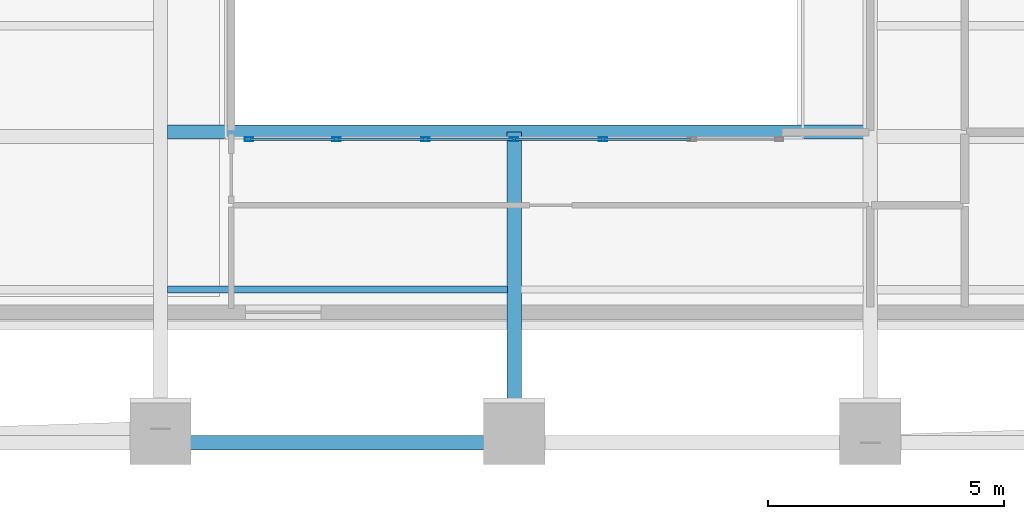
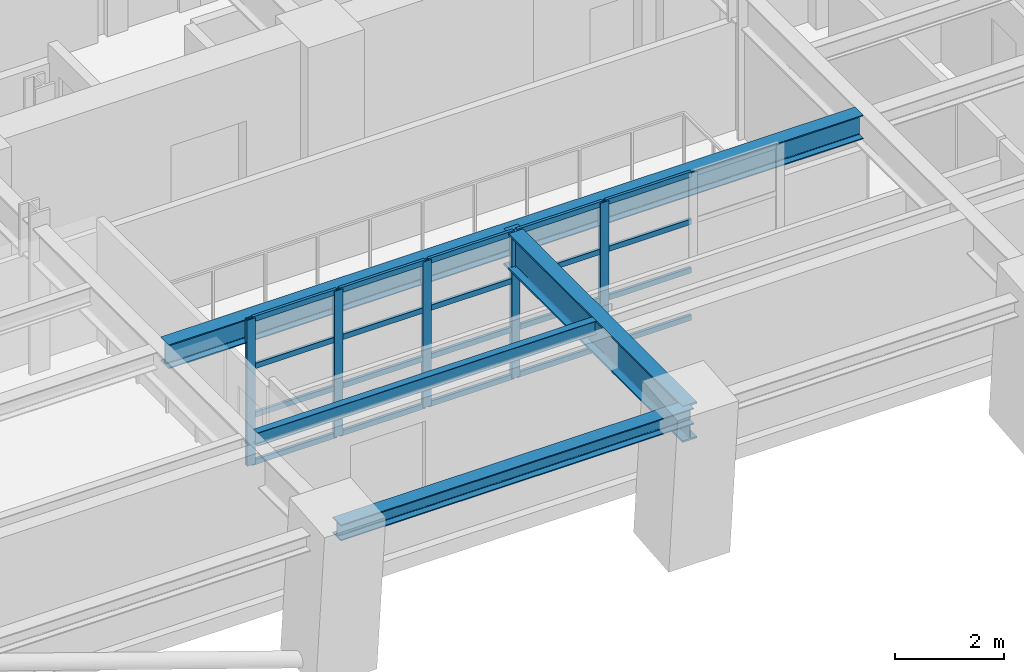
# One storey, part 2 of 14: 25 members, 4 beams, 1 element without a shape of its own.
"""IFC4 building model written with IfcOpenShell, lengths in metres."""

from ifc_helpers import new_model, si_unit, direction, frame, origin, origin_2d, place, context, subcontext, project, spatial, hollow_rectangle, i_section, extrude, material, layer, layer_set, material_profile, profile_set, type_object, element, aggregate, save


model = new_model("IFC4")

# Units and contexts
model_context = context("Model", 3, precision=1e-05, world=origin(), true_north=direction((0.0, 1.0)))
body_context = subcontext(model_context, "Body", "Model", "MODEL_VIEW")
ifc_project = project(units=[si_unit("LENGTHUNIT", "METRE"), si_unit("AREAUNIT", "SQUARE_METRE"), si_unit("VOLUMEUNIT", "CUBIC_METRE"), si_unit("PLANEANGLEUNIT", "RADIAN"), si_unit("MASSUNIT", "GRAM", prefix="KILO")], contexts=[model_context])

# Site, building, storey
site_placement = place(None, origin())
site = spatial("IfcSite", under=ifc_project, at=site_placement, CompositionType="ELEMENT")
building_placement = place(site_placement, origin())
building = spatial("IfcBuilding", under=site, at=building_placement, Name="Zarnavel Station Tower", CompositionType="ELEMENT")
storey_placement = place(building_placement, frame((0.0, 0.0, 129.300048828125)))
storey = spatial("IfcBuildingStorey", under=building, at=storey_placement, Name="L35", CompositionType="ELEMENT", Elevation=129.300048828125)

# Curtain wall, members
ifc_material_1 = material(Name="Aluminium Dark Anodised and Solar-Control Glass", Category="aluminium")
ifc_layer = layer(ifc_material_1, 0.179931640625)
ifc_layer_set = layer_set([ifc_layer], Name="CWS3")
curtain_wall_type = type_object("IfcCurtainWallType", Name="CWS3", PredefinedType="NOTDEFINED", material=ifc_layer_set)
curtain_wall_placement = place(storey_placement, origin())
curtain_wall = element("IfcCurtainWall", 1, at=curtain_wall_placement, inside=storey, type_object=curtain_wall_type, Name="L35 Curtain Wall CWS3-L35-AS", PredefinedType="NOTDEFINED")
ifc_material_2 = material(Name="Steel S355J2 (Black Fluoropolymer Coated)", Category="steel")
ifc_material_profile_1 = material_profile(ifc_material_2, hollow_rectangle(XDim=0.080078125, YDim=0.179931640625, WallThickness=0.00634765625, at=origin_2d()), Name="RHS180x80x6.3")
ifc_profile_set_1 = profile_set([ifc_material_profile_1], Name="Steel S355J2 (Black Fluoropolymer Coated)")
member_type_1 = type_object("IfcMemberType", Name="CWS3_MUL", PredefinedType="MULLION", material=ifc_profile_set_1)
member_1_placement = place(storey_placement, frame((23.179931640625, 20.64990234375, 0.0), z_axis=(0.0, 0.0, 1.0), x_axis=(0.0, 1.0, 0.0)))
member_1 = element("IfcMember", 2, at=member_1_placement, type_object=member_type_1, Name="CW3 mullion 1", PredefinedType="MULLION", context=body_context, shape_type="SweptSolid", body=[
    extrude(hollow_rectangle(XDim=0.080078125, YDim=0.179931640625, WallThickness=0.00634765625, at=origin_2d()), origin(), (0.0, 0.0, 1.0), 3.280029296875),
])
member_2_placement = place(storey_placement, frame((25.033447265625, 20.64990234375, 0.0), z_axis=(0.0, 0.0, 1.0), x_axis=(0.0, 1.0, 0.0)))
member_2 = element("IfcMember", 3, at=member_2_placement, type_object=member_type_1, Name="CW3 mullion 2", PredefinedType="MULLION", context=body_context, shape_type="SweptSolid", body=[
    extrude(hollow_rectangle(XDim=0.080078125, YDim=0.179931640625, WallThickness=0.00634765625, at=origin_2d()), origin(), (0.0, 0.0, 1.0), 3.280029296875),
])
member_3_placement = place(storey_placement, frame((26.916748046875, 20.64990234375, 0.0), z_axis=(0.0, 0.0, 1.0), x_axis=(0.0, 1.0, 0.0)))
member_3 = element("IfcMember", 4, at=member_3_placement, type_object=member_type_1, Name="CW3 mullion 3", PredefinedType="MULLION", context=body_context, shape_type="SweptSolid", body=[
    extrude(hollow_rectangle(XDim=0.080078125, YDim=0.179931640625, WallThickness=0.00634765625, at=origin_2d()), origin(), (0.0, 0.0, 1.0), 3.280029296875),
])
member_4_placement = place(storey_placement, frame((28.800048828125, 20.64990234375, 0.0), z_axis=(0.0, 0.0, 1.0), x_axis=(0.0, 1.0, 0.0)))
member_4 = element("IfcMember", 5, at=member_4_placement, type_object=member_type_1, Name="CW3 mullion 4", PredefinedType="MULLION", context=body_context, shape_type="SweptSolid", body=[
    extrude(hollow_rectangle(XDim=0.080078125, YDim=0.179931640625, WallThickness=0.00634765625, at=origin_2d()), origin(), (0.0, 0.0, 1.0), 3.280029296875),
])
member_5_placement = place(storey_placement, frame((30.683349609375, 20.64990234375, 0.0), z_axis=(0.0, 0.0, 1.0), x_axis=(0.0, 1.0, 0.0)))
member_5 = element("IfcMember", 6, at=member_5_placement, type_object=member_type_1, Name="CW3 mullion 5", PredefinedType="MULLION", context=body_context, shape_type="SweptSolid", body=[
    extrude(hollow_rectangle(XDim=0.080078125, YDim=0.179931640625, WallThickness=0.00634765625, at=origin_2d()), origin(), (0.0, 0.0, 1.0), 3.280029296875),
])
ifc_material_3 = material(Name="Steel S355J2 (Black Fluoropolymer Coated)", Category="steel")
ifc_material_profile_2 = material_profile(ifc_material_3, hollow_rectangle(XDim=0.06005859375, YDim=0.1201171875, WallThickness=0.0048828125, at=origin_2d()), Name="RHS120x60x5")
ifc_profile_set_2 = profile_set([ifc_material_profile_2], Name="Steel S355J2 (Black Fluoropolymer Coated)")
member_type_2 = type_object("IfcMemberType", Name="CWS3_TRN", PredefinedType="USERDEFINED", material=ifc_profile_set_2)
member_6_placement = place(storey_placement, frame((23.2099609375, 20.64990234375, 0.030029296875), z_axis=(1.0, 0.0, 0.0), x_axis=(0.0, 1.0, 0.0)))
member_6 = element("IfcMember", 7, at=member_6_placement, type_object=member_type_2, Name="CW3 transom 1.1", ObjectType="TRANSOM", PredefinedType="USERDEFINED", context=body_context, shape_type="SweptSolid", body=[
    extrude(hollow_rectangle(XDim=0.06005859375, YDim=0.1201171875, WallThickness=0.0048828125, at=origin_2d()), origin(), (0.0, 0.0, 1.0), 1.79345703125),
])
member_7_placement = place(storey_placement, frame((23.2099609375, 20.64990234375, 1.09326171875), z_axis=(1.0, 0.0, 0.0), x_axis=(0.0, 1.0, 0.0)))
member_7 = element("IfcMember", 8, at=member_7_placement, type_object=member_type_2, Name="CW3 transom 1.2", ObjectType="TRANSOM", PredefinedType="USERDEFINED", context=body_context, shape_type="SweptSolid", body=[
    extrude(hollow_rectangle(XDim=0.06005859375, YDim=0.1201171875, WallThickness=0.0048828125, at=origin_2d()), origin(), (0.0, 0.0, 1.0), 1.79345703125),
])
member_8_placement = place(storey_placement, frame((23.2099609375, 20.64990234375, 2.186767578125), z_axis=(1.0, 0.0, 0.0), x_axis=(0.0, 1.0, 0.0)))
member_8 = element("IfcMember", 9, at=member_8_placement, type_object=member_type_2, Name="CW3 transom 1.3", ObjectType="TRANSOM", PredefinedType="USERDEFINED", context=body_context, shape_type="SweptSolid", body=[
    extrude(hollow_rectangle(XDim=0.06005859375, YDim=0.1201171875, WallThickness=0.0048828125, at=origin_2d()), origin(), (0.0, 0.0, 1.0), 1.79345703125),
])
member_9_placement = place(storey_placement, frame((23.2099609375, 20.64990234375, 3.25), z_axis=(1.0, 0.0, 0.0), x_axis=(0.0, 1.0, 0.0)))
member_9 = element("IfcMember", 10, at=member_9_placement, type_object=member_type_2, Name="CW3 transom 1.4", ObjectType="TRANSOM", PredefinedType="USERDEFINED", context=body_context, shape_type="SweptSolid", body=[
    extrude(hollow_rectangle(XDim=0.06005859375, YDim=0.1201171875, WallThickness=0.0048828125, at=origin_2d()), origin(), (0.0, 0.0, 1.0), 1.79345703125),
])
member_10_placement = place(storey_placement, frame((25.063232421875, 20.64990234375, 0.030029296875), z_axis=(1.0, 0.0, 0.0), x_axis=(0.0, 1.0, 0.0)))
member_10 = element("IfcMember", 11, at=member_10_placement, type_object=member_type_2, Name="CW3 transom 2.1", ObjectType="TRANSOM", PredefinedType="USERDEFINED", context=body_context, shape_type="SweptSolid", body=[
    extrude(hollow_rectangle(XDim=0.06005859375, YDim=0.1201171875, WallThickness=0.0048828125, at=origin_2d()), origin(), (0.0, 0.0, 1.0), 1.823486328125),
])
member_11_placement = place(storey_placement, frame((25.063232421875, 20.64990234375, 1.09326171875), z_axis=(1.0, 0.0, 0.0), x_axis=(0.0, 1.0, 0.0)))
member_11 = element("IfcMember", 12, at=member_11_placement, type_object=member_type_2, Name="CW3 transom 2.2", ObjectType="TRANSOM", PredefinedType="USERDEFINED", context=body_context, shape_type="SweptSolid", body=[
    extrude(hollow_rectangle(XDim=0.06005859375, YDim=0.1201171875, WallThickness=0.0048828125, at=origin_2d()), origin(), (0.0, 0.0, 1.0), 1.823486328125),
])
member_12_placement = place(storey_placement, frame((25.063232421875, 20.64990234375, 2.186767578125), z_axis=(1.0, 0.0, 0.0), x_axis=(0.0, 1.0, 0.0)))
member_12 = element("IfcMember", 13, at=member_12_placement, type_object=member_type_2, Name="CW3 transom 2.3", ObjectType="TRANSOM", PredefinedType="USERDEFINED", context=body_context, shape_type="SweptSolid", body=[
    extrude(hollow_rectangle(XDim=0.06005859375, YDim=0.1201171875, WallThickness=0.0048828125, at=origin_2d()), origin(), (0.0, 0.0, 1.0), 1.823486328125),
])
member_13_placement = place(storey_placement, frame((25.063232421875, 20.64990234375, 3.25), z_axis=(1.0, 0.0, 0.0), x_axis=(0.0, 1.0, 0.0)))
member_13 = element("IfcMember", 14, at=member_13_placement, type_object=member_type_2, Name="CW3 transom 2.4", ObjectType="TRANSOM", PredefinedType="USERDEFINED", context=body_context, shape_type="SweptSolid", body=[
    extrude(hollow_rectangle(XDim=0.06005859375, YDim=0.1201171875, WallThickness=0.0048828125, at=origin_2d()), origin(), (0.0, 0.0, 1.0), 1.823486328125),
])
member_14_placement = place(storey_placement, frame((26.94677734375, 20.64990234375, 0.030029296875), z_axis=(1.0, 0.0, 0.0), x_axis=(0.0, 1.0, 0.0)))
member_14 = element("IfcMember", 15, at=member_14_placement, type_object=member_type_2, Name="CW3 transom 3.1", ObjectType="TRANSOM", PredefinedType="USERDEFINED", context=body_context, shape_type="SweptSolid", body=[
    extrude(hollow_rectangle(XDim=0.06005859375, YDim=0.1201171875, WallThickness=0.0048828125, at=origin_2d()), origin(), (0.0, 0.0, 1.0), 1.8232421875),
])
member_15_placement = place(storey_placement, frame((26.94677734375, 20.64990234375, 1.09326171875), z_axis=(1.0, 0.0, 0.0), x_axis=(0.0, 1.0, 0.0)))
member_15 = element("IfcMember", 16, at=member_15_placement, type_object=member_type_2, Name="CW3 transom 3.2", ObjectType="TRANSOM", PredefinedType="USERDEFINED", context=body_context, shape_type="SweptSolid", body=[
    extrude(hollow_rectangle(XDim=0.06005859375, YDim=0.1201171875, WallThickness=0.0048828125, at=origin_2d()), origin(), (0.0, 0.0, 1.0), 1.8232421875),
])
member_16_placement = place(storey_placement, frame((26.94677734375, 20.64990234375, 2.186767578125), z_axis=(1.0, 0.0, 0.0), x_axis=(0.0, 1.0, 0.0)))
member_16 = element("IfcMember", 17, at=member_16_placement, type_object=member_type_2, Name="CW3 transom 3.3", ObjectType="TRANSOM", PredefinedType="USERDEFINED", context=body_context, shape_type="SweptSolid", body=[
    extrude(hollow_rectangle(XDim=0.06005859375, YDim=0.1201171875, WallThickness=0.0048828125, at=origin_2d()), origin(), (0.0, 0.0, 1.0), 1.8232421875),
])
member_17_placement = place(storey_placement, frame((26.94677734375, 20.64990234375, 3.25), z_axis=(1.0, 0.0, 0.0), x_axis=(0.0, 1.0, 0.0)))
member_17 = element("IfcMember", 18, at=member_17_placement, type_object=member_type_2, Name="CW3 transom 3.4", ObjectType="TRANSOM", PredefinedType="USERDEFINED", context=body_context, shape_type="SweptSolid", body=[
    extrude(hollow_rectangle(XDim=0.06005859375, YDim=0.1201171875, WallThickness=0.0048828125, at=origin_2d()), origin(), (0.0, 0.0, 1.0), 1.8232421875),
])
member_18_placement = place(storey_placement, frame((28.830078125, 20.64990234375, 0.030029296875), z_axis=(1.0, 0.0, 0.0), x_axis=(0.0, 1.0, 0.0)))
member_18 = element("IfcMember", 19, at=member_18_placement, type_object=member_type_2, Name="CW3 transom 4.1", ObjectType="TRANSOM", PredefinedType="USERDEFINED", context=body_context, shape_type="SweptSolid", body=[
    extrude(hollow_rectangle(XDim=0.06005859375, YDim=0.1201171875, WallThickness=0.0048828125, at=origin_2d()), origin(), (0.0, 0.0, 1.0), 1.8232421875),
])
member_19_placement = place(storey_placement, frame((28.830078125, 20.64990234375, 1.09326171875), z_axis=(1.0, 0.0, 0.0), x_axis=(0.0, 1.0, 0.0)))
member_19 = element("IfcMember", 20, at=member_19_placement, type_object=member_type_2, Name="CW3 transom 4.2", ObjectType="TRANSOM", PredefinedType="USERDEFINED", context=body_context, shape_type="SweptSolid", body=[
    extrude(hollow_rectangle(XDim=0.06005859375, YDim=0.1201171875, WallThickness=0.0048828125, at=origin_2d()), origin(), (0.0, 0.0, 1.0), 1.8232421875),
])
member_20_placement = place(storey_placement, frame((28.830078125, 20.64990234375, 2.186767578125), z_axis=(1.0, 0.0, 0.0), x_axis=(0.0, 1.0, 0.0)))
member_20 = element("IfcMember", 21, at=member_20_placement, type_object=member_type_2, Name="CW3 transom 4.3", ObjectType="TRANSOM", PredefinedType="USERDEFINED", context=body_context, shape_type="SweptSolid", body=[
    extrude(hollow_rectangle(XDim=0.06005859375, YDim=0.1201171875, WallThickness=0.0048828125, at=origin_2d()), origin(), (0.0, 0.0, 1.0), 1.8232421875),
])
member_21_placement = place(storey_placement, frame((28.830078125, 20.64990234375, 3.25), z_axis=(1.0, 0.0, 0.0), x_axis=(0.0, 1.0, 0.0)))
member_21 = element("IfcMember", 22, at=member_21_placement, type_object=member_type_2, Name="CW3 transom 4.4", ObjectType="TRANSOM", PredefinedType="USERDEFINED", context=body_context, shape_type="SweptSolid", body=[
    extrude(hollow_rectangle(XDim=0.06005859375, YDim=0.1201171875, WallThickness=0.0048828125, at=origin_2d()), origin(), (0.0, 0.0, 1.0), 1.8232421875),
])
member_22_placement = place(storey_placement, frame((30.71337890625, 20.64990234375, 0.030029296875), z_axis=(1.0, 0.0, 0.0), x_axis=(0.0, 1.0, 0.0)))
member_22 = element("IfcMember", 23, at=member_22_placement, type_object=member_type_2, Name="CW3 transom 5.1", ObjectType="TRANSOM", PredefinedType="USERDEFINED", context=body_context, shape_type="SweptSolid", body=[
    extrude(hollow_rectangle(XDim=0.06005859375, YDim=0.1201171875, WallThickness=0.0048828125, at=origin_2d()), origin(), (0.0, 0.0, 1.0), 1.8232421875),
])
member_23_placement = place(storey_placement, frame((30.71337890625, 20.64990234375, 1.09326171875), z_axis=(1.0, 0.0, 0.0), x_axis=(0.0, 1.0, 0.0)))
member_23 = element("IfcMember", 24, at=member_23_placement, type_object=member_type_2, Name="CW3 transom 5.2", ObjectType="TRANSOM", PredefinedType="USERDEFINED", context=body_context, shape_type="SweptSolid", body=[
    extrude(hollow_rectangle(XDim=0.06005859375, YDim=0.1201171875, WallThickness=0.0048828125, at=origin_2d()), origin(), (0.0, 0.0, 1.0), 1.8232421875),
])
member_24_placement = place(storey_placement, frame((30.71337890625, 20.64990234375, 2.186767578125), z_axis=(1.0, 0.0, 0.0), x_axis=(0.0, 1.0, 0.0)))
member_24 = element("IfcMember", 25, at=member_24_placement, type_object=member_type_2, Name="CW3 transom 5.3", ObjectType="TRANSOM", PredefinedType="USERDEFINED", context=body_context, shape_type="SweptSolid", body=[
    extrude(hollow_rectangle(XDim=0.06005859375, YDim=0.1201171875, WallThickness=0.0048828125, at=origin_2d()), origin(), (0.0, 0.0, 1.0), 1.8232421875),
])
member_25_placement = place(storey_placement, frame((30.71337890625, 20.64990234375, 3.25), z_axis=(1.0, 0.0, 0.0), x_axis=(0.0, 1.0, 0.0)))
member_25 = element("IfcMember", 26, at=member_25_placement, type_object=member_type_2, Name="CW3 transom 5.4", ObjectType="TRANSOM", PredefinedType="USERDEFINED", context=body_context, shape_type="SweptSolid", body=[
    extrude(hollow_rectangle(XDim=0.06005859375, YDim=0.1201171875, WallThickness=0.0048828125, at=origin_2d()), origin(), (0.0, 0.0, 1.0), 1.8232421875),
])
aggregate(curtain_wall, [member_1, member_2, member_3, member_4, member_5, member_6, member_7, member_8, member_9, member_10, member_11, member_12, member_13, member_14, member_15, member_16, member_17, member_18, member_19, member_20, member_21, member_22, member_23, member_24, member_25])

# Beams
ifc_material_4 = material(Name="Steel S355J2", Category="steel")
ifc_material_profile_3 = material_profile(ifc_material_4, i_section(OverallWidth=0.300048828125, OverallDepth=0.360107421875, WebThickness=0.012451171875, FlangeThickness=0.0224609375, FilletRadius=0.027099609375, at=origin_2d()), Name="HEB360")
ifc_profile_set_3 = profile_set([ifc_material_profile_3], Name="Steel S355J2")
beam_type_1 = type_object("IfcBeamType", Name="EB_HEB360", PredefinedType="SPANDREL", material=ifc_profile_set_3)
beam_1_placement = place(storey_placement, frame((21.300048828125, 14.213623046875, 3.099853515625), z_axis=(1.0, 0.0, 0.0), x_axis=(0.0, 1.0, 0.0)))
element("IfcBeam", 27, at=beam_1_placement, inside=storey, type_object=beam_type_1, Name="L35 South Raked Spandrel 2", PredefinedType="SPANDREL", context=body_context, shape_type="SweptSolid", body=[
    extrude(i_section(OverallWidth=0.300048828125, OverallDepth=0.360107421875, WebThickness=0.012451171875, FlangeThickness=0.0224609375, FilletRadius=0.027099609375, at=origin_2d()), origin(), (0.0, 0.0, 1.0), 7.5),
])
ifc_material_5 = material(Name="Steel S355J2", Category="steel")
ifc_material_profile_4 = material_profile(ifc_material_5, i_section(OverallWidth=0.300048828125, OverallDepth=0.5400390625, WebThickness=0.012451171875, FlangeThickness=0.02392578125, FilletRadius=0.027099609375, at=origin_2d()), Name="HEA550")
ifc_profile_set_4 = profile_set([ifc_material_profile_4], Name="Steel S355J2")
beam_type_2 = type_object("IfcBeamType", Name="FB_HEA550", PredefinedType="BEAM", material=ifc_profile_set_4)
beam_2_placement = place(storey_placement, frame((21.445068359375, 20.800048828125, 3.010009765625), z_axis=(1.0, 0.0, 0.0), x_axis=(0.0, 1.0, 0.0)))
element("IfcBeam", 28, at=beam_2_placement, inside=storey, type_object=beam_type_2, Name="L35 Atrium South Edge Girder", PredefinedType="BEAM", context=body_context, shape_type="SweptSolid", body=[
    extrude(i_section(OverallWidth=0.300048828125, OverallDepth=0.5400390625, WebThickness=0.012451171875, FlangeThickness=0.02392578125, FilletRadius=0.027099609375, at=origin_2d()), origin(), (0.0, 0.0, 1.0), 14.760009765625),
])
ifc_material_6 = material(Name="Steel S460M", Category="steel")
ifc_material_profile_5 = material_profile(ifc_material_6, i_section(OverallWidth=0.302978515625, OverallDepth=0.81396484375, WebThickness=0.02099609375, FlangeThickness=0.0400390625, FilletRadius=0.030029296875, at=origin_2d()), Name="HEM800")
ifc_profile_set_5 = profile_set([ifc_material_profile_5], Name="Steel S460M")
beam_type_3 = type_object("IfcBeamType", Name="FG_HEM800", PredefinedType="USERDEFINED", material=ifc_profile_set_5)
beam_3_placement = place(storey_placement, frame((28.800048828125, 14.213623046875, 2.873046875), z_axis=(0.0, 1.0, 0.0), x_axis=(-1.0, 0.0, 0.0)))
element("IfcBeam", 29, at=beam_3_placement, inside=storey, type_object=beam_type_3, Name="L35 Central Atrium-South Girder", ObjectType="GIRDER", PredefinedType="USERDEFINED", context=body_context, shape_type="SweptSolid", body=[
    extrude(i_section(OverallWidth=0.302978515625, OverallDepth=0.81396484375, WebThickness=0.02099609375, FlangeThickness=0.0400390625, FilletRadius=0.030029296875, at=origin_2d()), origin(), (0.0, 0.0, 1.0), 6.58642578125),
])
ifc_material_7 = material(Name="Steel S355J2", Category="steel")
ifc_material_profile_6 = material_profile(ifc_material_7, i_section(OverallWidth=0.14990234375, OverallDepth=0.300048828125, WebThickness=0.007080078125, FlangeThickness=0.0107421875, FilletRadius=0.014892578125, at=origin_2d()), Name="IPE300")
ifc_profile_set_6 = profile_set([ifc_material_profile_6], Name="Steel S355J2")
beam_type_4 = type_object("IfcBeamType", Name="FJ_IPE300", PredefinedType="JOIST", material=ifc_profile_set_6)
beam_4_placement = place(storey_placement, frame((21.445068359375, 17.460205078125, 3.1298828125), z_axis=(1.0, 0.0, 0.0), x_axis=(0.0, 1.0, 0.0)))
element("IfcBeam", 30, at=beam_4_placement, inside=storey, type_object=beam_type_4, Name="L35 Mid-West Joist 1", PredefinedType="JOIST", context=body_context, shape_type="SweptSolid", body=[
    extrude(i_section(OverallWidth=0.14990234375, OverallDepth=0.300048828125, WebThickness=0.007080078125, FlangeThickness=0.0107421875, FilletRadius=0.014892578125, at=origin_2d()), origin(), (0.0, 0.0, 1.0), 7.2099609375),
])

save(model, "model.ifc")
